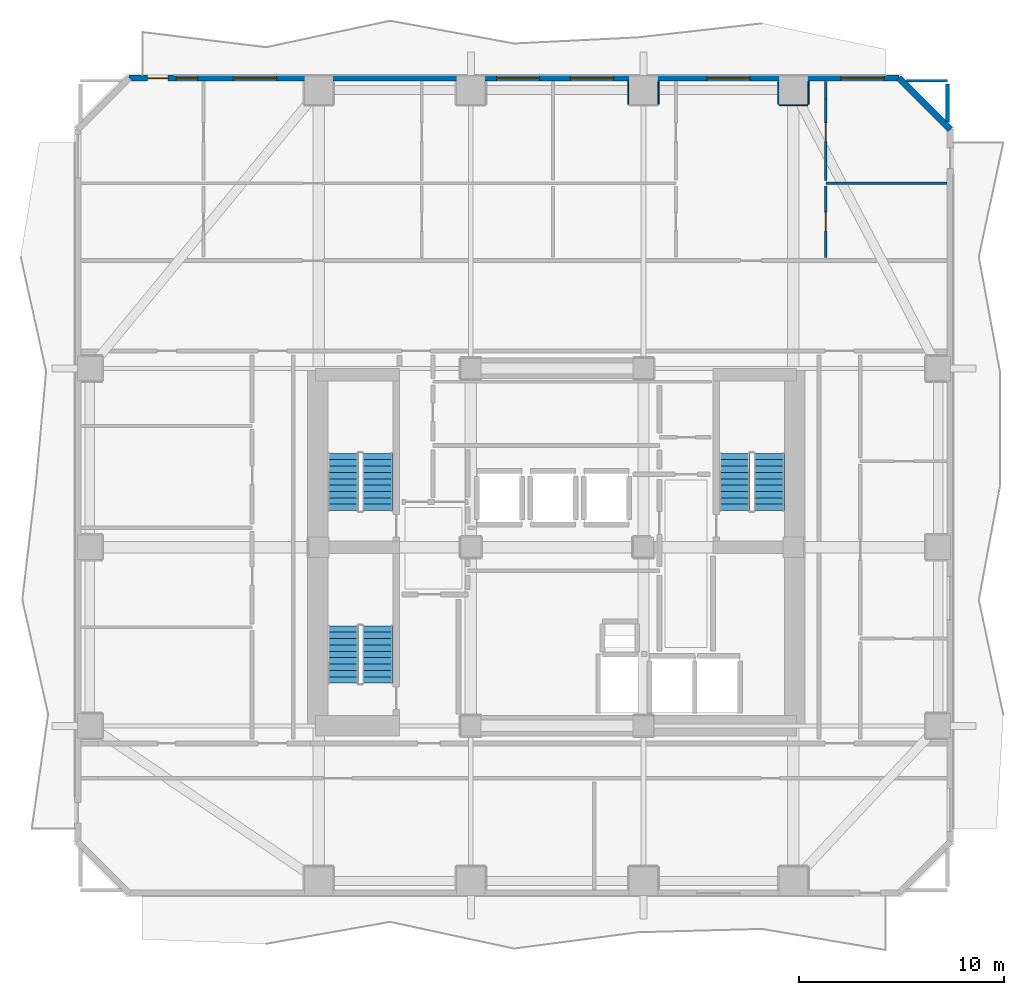
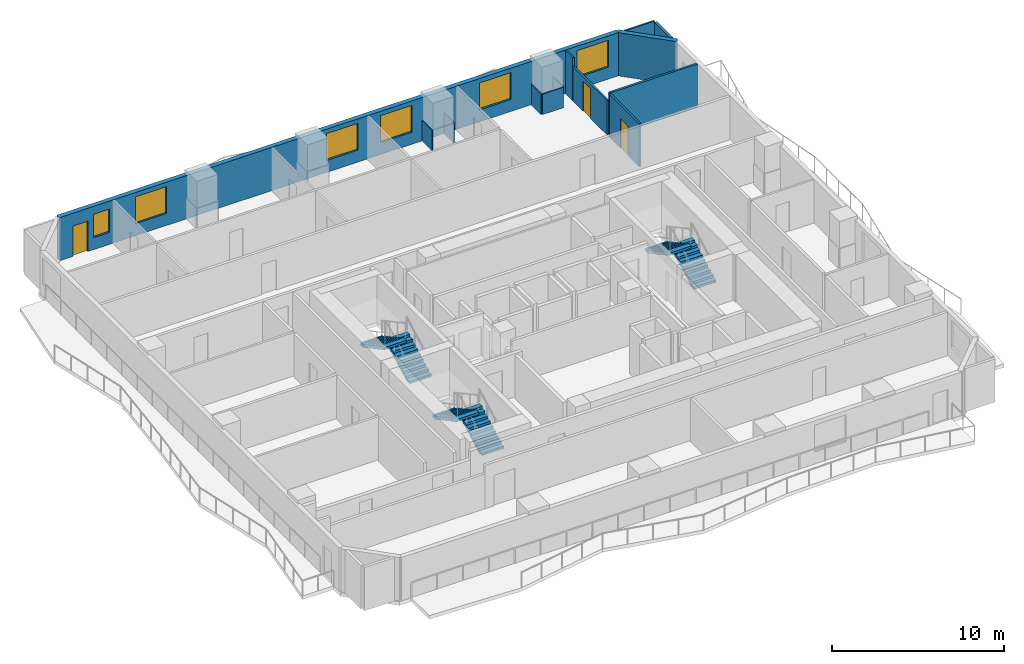
# One storey, part 6 of 10: 13 walls, 6 stair flights, 6 windows, 3 doors, 9 openings, 3 elements without a shape of their own.
"""IFC4 building model written with IfcOpenShell, lengths in metres."""

from ifc_helpers import new_model, si_unit, direction, frame, frame_2d, origin, place, context, subcontext, project, spatial, polyline, rectangle, outline, extrude, material, layer, layer_set, type_object, element, fill, aggregate, save


model = new_model("IFC4")

# Units and contexts
model_context = context("Model", 3, precision=1e-05, world=origin(), true_north=direction((0.0, 1.0)))
body_context = subcontext(model_context, "Body", "Model", "MODEL_VIEW")
ifc_project = project(units=[si_unit("LENGTHUNIT", "METRE"), si_unit("AREAUNIT", "SQUARE_METRE"), si_unit("VOLUMEUNIT", "CUBIC_METRE"), si_unit("PLANEANGLEUNIT", "RADIAN"), si_unit("MASSUNIT", "GRAM", prefix="KILO")], contexts=[model_context])

# Site, building, storey
site_placement = place(None, origin())
site = spatial("IfcSite", under=ifc_project, at=site_placement, CompositionType="ELEMENT")
building_placement = place(site_placement, origin())
building = spatial("IfcBuilding", under=site, at=building_placement, Name="Solanera Arch Residences", CompositionType="ELEMENT")
storey_placement = place(building_placement, frame((0.0, 0.0, 92.800048828125)))
storey = spatial("IfcBuildingStorey", under=building, at=storey_placement, Name="L26", CompositionType="ELEMENT", Elevation=92.800048828125)

# Walls
ifc_material_1 = material(Name="Fire-Rated Gypsum Stud Partition", Category="gypsum")
ifc_layer_1 = layer(ifc_material_1, 0.06005859375)
ifc_layer_set_1 = layer_set([ifc_layer_1], Name="Fire-Rated Gypsum Stud Partition")
wall_type_1 = type_object("IfcWallType", Name="Column Acoustic Furring Wall 60", PredefinedType="PARTITIONING", material=ifc_layer_set_1)
for number, where, z_axis, x_axis, name in (
    (1, (28.468017578125, 52.25, 0.0), (0.0, 0.0, 1.0), (0.0, 1.0, 0.0), "L26 Column Furring 14W"),
    (2, (29.931884765625, 52.25, 0.0), (0.0, 0.0, 1.0), (0.0, 1.0, 0.0), "L26 Column Furring 14E"),
):
    element("IfcWall", number, at=place(storey_placement, frame(where, z_axis=z_axis, x_axis=x_axis)), inside=storey, type_object=wall_type_1, Name=name, PredefinedType="PARTITIONING", context=body_context, shape_type="SweptSolid", body=[
        extrude(rectangle(XDim=1.1201171875, YDim=0.06005859375, at=frame_2d((0.56005859375, 0.0))), origin(), (0.0, 0.0, 1.0), 1.449951171875),
    ])
wall_1_placement = place(storey_placement, frame((35.800048828125, 52.218017578125, 0.0), z_axis=(0.0, 0.0, 1.0), x_axis=(1.0, 0.0, 0.0)))
element("IfcWall", 3, at=wall_1_placement, inside=storey, type_object=wall_type_1, Name="L26 Column Furring 16S", PredefinedType="PARTITIONING", context=body_context, shape_type="SweptSolid", body=[
    extrude(rectangle(XDim=1.39990234375, YDim=0.06005859375, at=frame_2d((0.699951171875, 0.0))), origin(), (0.0, 0.0, 1.0), 1.449951171875),
])
for number, where, z_axis, x_axis, name in (
    (4, (35.76806640625, 52.25, 0.0), (0.0, 0.0, 1.0), (0.0, 1.0, 0.0), "L26 Column Furring 16W"),
    (5, (37.23193359375, 52.25, 0.0), (0.0, 0.0, 1.0), (0.0, 1.0, 0.0), "L26 Column Furring 16E"),
):
    element("IfcWall", number, at=place(storey_placement, frame(where, z_axis=z_axis, x_axis=x_axis)), inside=storey, type_object=wall_type_1, Name=name, PredefinedType="PARTITIONING", context=body_context, shape_type="SweptSolid", body=[
        extrude(rectangle(XDim=1.1201171875, YDim=0.06005859375, at=frame_2d((0.56005859375, 0.0))), origin(), (0.0, 0.0, 1.0), 1.449951171875),
    ])
ifc_material_2 = material(Name="Autoclaved Aerated Concrete Blockwork", Category="masonry")
ifc_layer_2 = layer(ifc_material_2, 0.179931640625)
ifc_layer_set_2 = layer_set([ifc_layer_2], Name="Autoclaved Aerated Concrete Blockwork")
wall_type_2 = type_object("IfcWallType", Name="Corridor Fire Partition 180", PredefinedType="PARTITIONING", material=ifc_layer_set_2)
wall_2_placement = place(storey_placement, frame((44.0, 51.39892578125, 0.0), z_axis=(0.0, 0.0, 1.0), x_axis=(0.0, 1.0, 0.0)))
element("IfcWall", 6, at=wall_2_placement, inside=storey, type_object=wall_type_2, Name="L26 Interior Partition V14 2", PredefinedType="PARTITIONING", context=body_context, shape_type="SweptSolid", body=[
    extrude(rectangle(XDim=1.843017578125, YDim=0.179931640625, at=frame_2d((0.92138671875, 0.0))), origin(), (0.0, 0.0, 1.0), 3.06005859375),
])

# Wall, openings, door, windows
ifc_material_3 = material(Name="Precast Concrete C35/45", Category="concrete")
ifc_layer_3 = layer(ifc_material_3, 0.300048828125)
ifc_layer_set_3 = layer_set([ifc_layer_3], Name="Precast Concrete C35/45")
wall_type_3 = type_object("IfcWallType", Name="Exterior Wall Precast Masonry-Frame 300", PredefinedType="STANDARD", material=ifc_layer_set_3)
wall_3_placement = place(storey_placement, frame((4.1650390625, 53.534912109375, 0.0), z_axis=(0.0, 0.0, 1.0), x_axis=(1.0, 0.0, 0.0)))
wall_3 = element("IfcWall", 7, at=wall_3_placement, inside=storey, type_object=wall_type_3, Name="L26 Tower Exterior Precast Masonry-Frame Wall N", PredefinedType="STANDARD", context=body_context, shape_type="SweptSolid", body=[
    extrude(rectangle(XDim=37.469970703125, YDim=0.300048828125, at=frame_2d((18.73486328125, 0.0))), origin(), (0.0, 0.0, 1.0), 3.06005859375),
])
opening_1_placement = place(wall_3_placement, frame((0.90087890625, 0.0, 0.0)))
opening_1 = element("IfcOpeningElement", 8, at=opening_1_placement, cuts=wall_3, Name="Opening DB-01", PredefinedType="OPENING", context=body_context, shape_type="SweptSolid", body=[
    extrude(rectangle(XDim=1.0, YDim=2.14990234375, at=frame_2d((0.5, 1.074951171875))), frame((0.0, 0.159912109375, 0.0), z_axis=(0.0, -1.0, 0.0), x_axis=(1.0, 0.0, 0.0)), (0.0, 0.0, 1.0), 0.32),
])
opening_2_placement = place(wall_3_placement, frame((5.077880859375, 0.0, 0.85009765625)))
opening_2 = element("IfcOpeningElement", 9, at=opening_2_placement, cuts=wall_3, Name="Opening W-04", PredefinedType="OPENING", context=body_context, shape_type="SweptSolid", body=[
    extrude(rectangle(XDim=2.10009765625, YDim=1.89990234375, at=frame_2d((1.050048828125, 0.949951171875))), frame((0.0, 0.159912109375, 0.0), z_axis=(0.0, -1.0, 0.0), x_axis=(1.0, 0.0, 0.0)), (0.0, 0.0, 1.0), 0.32),
])
opening_3_placement = place(wall_3_placement, frame((2.285888671875, 0.0, 0.85009765625)))
opening_3 = element("IfcOpeningElement", 10, at=opening_3_placement, cuts=wall_3, Name="Opening W-07", PredefinedType="OPENING", context=body_context, shape_type="SweptSolid", body=[
    extrude(rectangle(XDim=1.050048828125, YDim=1.64990234375, at=frame_2d((0.52490234375, 0.824951171875))), frame((0.0, 0.159912109375, 0.0), z_axis=(0.0, -1.0, 0.0), x_axis=(1.0, 0.0, 0.0)), (0.0, 0.0, 1.0), 0.32),
])
opening_4_placement = place(wall_3_placement, frame((17.885009765625, 0.0, 0.85009765625)))
opening_4 = element("IfcOpeningElement", 11, at=opening_4_placement, cuts=wall_3, Name="Opening W-04", PredefinedType="OPENING", context=body_context, shape_type="SweptSolid", body=[
    extrude(rectangle(XDim=2.10009765625, YDim=1.89990234375, at=frame_2d((1.050048828125, 0.949951171875))), frame((0.0, 0.159912109375, 0.0), z_axis=(0.0, -1.0, 0.0), x_axis=(1.0, 0.0, 0.0)), (0.0, 0.0, 1.0), 0.32),
])
opening_5_placement = place(wall_3_placement, frame((28.125, 0.0, 0.85009765625)))
opening_5 = element("IfcOpeningElement", 12, at=opening_5_placement, cuts=wall_3, Name="Opening W-04", PredefinedType="OPENING", context=body_context, shape_type="SweptSolid", body=[
    extrude(rectangle(XDim=2.10009765625, YDim=1.89990234375, at=frame_2d((1.050048828125, 0.949951171875))), frame((0.0, 0.159912109375, 0.0), z_axis=(0.0, -1.0, 0.0), x_axis=(1.0, 0.0, 0.0)), (0.0, 0.0, 1.0), 0.32),
])
opening_6_placement = place(wall_3_placement, frame((21.485107421875, 0.0, 0.85009765625)))
opening_6 = element("IfcOpeningElement", 13, at=opening_6_placement, cuts=wall_3, Name="Opening W-04", PredefinedType="OPENING", context=body_context, shape_type="SweptSolid", body=[
    extrude(rectangle(XDim=2.10009765625, YDim=1.89990234375, at=frame_2d((1.050048828125, 0.949951171875))), frame((0.0, 0.159912109375, 0.0), z_axis=(0.0, -1.0, 0.0), x_axis=(1.0, 0.0, 0.0)), (0.0, 0.0, 1.0), 0.32),
])
opening_7_placement = place(wall_3_placement, frame((34.64794921875, 0.0, 0.85009765625)))
opening_7 = element("IfcOpeningElement", 14, at=opening_7_placement, cuts=wall_3, Name="Opening W-04", PredefinedType="OPENING", context=body_context, shape_type="SweptSolid", body=[
    extrude(rectangle(XDim=2.10009765625, YDim=1.89990234375, at=frame_2d((1.050048828125, 0.949951171875))), frame((0.0, 0.159912109375, 0.0), z_axis=(0.0, -1.0, 0.0), x_axis=(1.0, 0.0, 0.0)), (0.0, 0.0, 1.0), 0.32),
])
ifc_material_4 = material(Name="Anodised Aluminium Alloy 6063-T6", Category="aluminium")
door_type_1 = type_object("IfcDoorType", Name="Glazed Balcony Swing Door DB-01", OperationType="NOTDEFINED", PredefinedType="DOOR", material=ifc_material_4)
door_1_placement = place(opening_1_placement, origin())
door_1 = element("IfcDoor", 15, at=door_1_placement, inside=storey, type_object=door_type_1, Name="DR-L26-OUT-02", OperationType="SINGLE_SWING_LEFT", OverallHeight=2.14990234375, OverallWidth=1.0, PredefinedType="DOOR", context=body_context, shape_type="SweptSolid", body=[
    extrude(rectangle(XDim=1.0, YDim=2.14990234375, at=frame_2d((0.5, 1.074951171875))), frame((0.0, 0.02490234375, 0.0), z_axis=(0.0, -1.0, 0.0), x_axis=(1.0, 0.0, 0.0)), (0.0, 0.0, 1.0), 0.050048828125),
])
fill(opening_1, door_1)
ifc_material_5 = material(Name="Double Glazed Low-E Laminated Glass", Category="glass")
window_type_1 = type_object("IfcWindowType", Name="Punched Window W-04", PartitioningType="DOUBLE_PANEL_VERTICAL", PredefinedType="WINDOW", material=ifc_material_5)
window_1_placement = place(opening_2_placement, origin())
window_1 = element("IfcWindow", 16, at=window_1_placement, inside=storey, type_object=window_type_1, Name="L26 2601-LIV Punched Window", OverallHeight=1.89990234375, OverallWidth=2.10009765625, PartitioningType="SINGLE_PANEL", PredefinedType="WINDOW", context=body_context, shape_type="SweptSolid", body=[
    extrude(rectangle(XDim=2.10009765625, YDim=1.89990234375, at=frame_2d((1.050048828125, 0.949951171875))), frame((0.0, 0.030029296875, 0.0), z_axis=(0.0, -1.0, 0.0), x_axis=(1.0, 0.0, 0.0)), (0.0, 0.0, 1.0), 0.06005859375),
])
fill(opening_2, window_1)
window_2_placement = place(opening_4_placement, origin())
window_2 = element("IfcWindow", 17, at=window_2_placement, inside=storey, type_object=window_type_1, Name="L26 2601-BR2 Punched Window", OverallHeight=1.89990234375, OverallWidth=2.10009765625, PartitioningType="SINGLE_PANEL", PredefinedType="WINDOW", context=body_context, shape_type="SweptSolid", body=[
    extrude(rectangle(XDim=2.10009765625, YDim=1.89990234375, at=frame_2d((1.050048828125, 0.949951171875))), frame((0.0, 0.030029296875, 0.0), z_axis=(0.0, -1.0, 0.0), x_axis=(1.0, 0.0, 0.0)), (0.0, 0.0, 1.0), 0.06005859375),
])
fill(opening_4, window_2)
window_3_placement = place(opening_5_placement, origin())
window_3 = element("IfcWindow", 18, at=window_3_placement, inside=storey, type_object=window_type_1, Name="L26 2602-LIV Punched Window", OverallHeight=1.89990234375, OverallWidth=2.10009765625, PartitioningType="SINGLE_PANEL", PredefinedType="WINDOW", context=body_context, shape_type="SweptSolid", body=[
    extrude(rectangle(XDim=2.10009765625, YDim=1.89990234375, at=frame_2d((1.050048828125, 0.949951171875))), frame((0.0, 0.030029296875, 0.0), z_axis=(0.0, -1.0, 0.0), x_axis=(1.0, 0.0, 0.0)), (0.0, 0.0, 1.0), 0.06005859375),
])
fill(opening_5, window_3)
window_4_placement = place(opening_6_placement, origin())
window_4 = element("IfcWindow", 19, at=window_4_placement, inside=storey, type_object=window_type_1, Name="L26 2602-BR1 Punched Window", OverallHeight=1.89990234375, OverallWidth=2.10009765625, PartitioningType="SINGLE_PANEL", PredefinedType="WINDOW", context=body_context, shape_type="SweptSolid", body=[
    extrude(rectangle(XDim=2.10009765625, YDim=1.89990234375, at=frame_2d((1.050048828125, 0.949951171875))), frame((0.0, 0.030029296875, 0.0), z_axis=(0.0, -1.0, 0.0), x_axis=(1.0, 0.0, 0.0)), (0.0, 0.0, 1.0), 0.06005859375),
])
fill(opening_6, window_4)
window_5_placement = place(opening_7_placement, origin())
window_5 = element("IfcWindow", 20, at=window_5_placement, inside=storey, type_object=window_type_1, Name="L26 2602-BR2 Punched Window", OverallHeight=1.89990234375, OverallWidth=2.10009765625, PartitioningType="SINGLE_PANEL", PredefinedType="WINDOW", context=body_context, shape_type="SweptSolid", body=[
    extrude(rectangle(XDim=2.10009765625, YDim=1.89990234375, at=frame_2d((1.050048828125, 0.949951171875))), frame((0.0, 0.030029296875, 0.0), z_axis=(0.0, -1.0, 0.0), x_axis=(1.0, 0.0, 0.0)), (0.0, 0.0, 1.0), 0.06005859375),
])
fill(opening_7, window_5)
ifc_material_6 = material(Name="Double Glazed Low-E Laminated Glass", Category="glass")
window_type_2 = type_object("IfcWindowType", Name="Punched Window W-07", PartitioningType="SINGLE_PANEL", PredefinedType="WINDOW", material=ifc_material_6)
window_6_placement = place(opening_3_placement, origin())
window_6 = element("IfcWindow", 21, at=window_6_placement, inside=storey, type_object=window_type_2, Name="L26 2601-BR1 Punched Window", OverallHeight=1.64990234375, OverallWidth=1.050048828125, PartitioningType="SINGLE_PANEL", PredefinedType="WINDOW", context=body_context, shape_type="SweptSolid", body=[
    extrude(rectangle(XDim=1.050048828125, YDim=1.64990234375, at=frame_2d((0.52490234375, 0.824951171875))), frame((0.0, 0.030029296875, 0.0), z_axis=(0.0, -1.0, 0.0), x_axis=(1.0, 0.0, 0.0)), (0.0, 0.0, 1.0), 0.06005859375),
])
fill(opening_3, window_6)

# Walls
wall_4_placement = place(storey_placement, frame((41.635009765625, 53.534912109375, 0.0), z_axis=(0.0, 0.0, 1.0), x_axis=(0.707106781187, -0.707106781187, 0.0)))
element("IfcWall", 22, at=wall_4_placement, inside=storey, type_object=wall_type_3, Name="L26 Tower Exterior Precast Masonry-Frame Wall CH3", PredefinedType="STANDARD", context=body_context, shape_type="SweptSolid", body=[
    extrude(rectangle(XDim=3.53564453125, YDim=0.300048828125, at=frame_2d((1.767822265625, 0.0))), origin(), (0.0, 0.0, 1.0), 3.06005859375),
])
ifc_material_7 = material(Name="Fire-Rated Gypsum Stud Partition", Category="gypsum")
ifc_layer_4 = layer(ifc_material_7, 0.1201171875)
ifc_layer_set_4 = layer_set([ifc_layer_4], Name="Fire-Rated Gypsum Stud Partition")
wall_type_4 = type_object("IfcWallType", Name="Unit Drywall Partition 120", PredefinedType="PARTITIONING", material=ifc_layer_set_4)
wall_5_placement = place(storey_placement, frame((41.9990234375, 53.39990234375, 0.0), z_axis=(0.0, 0.0, 1.0), x_axis=(1.0, 0.0, 0.0)))
element("IfcWall", 23, at=wall_5_placement, inside=storey, type_object=wall_type_4, Name="L26 Interior Partition H22 2", PredefinedType="PARTITIONING", context=body_context, shape_type="SweptSolid", body=[
    extrude(rectangle(XDim=2.0009765625, YDim=0.1201171875, at=frame_2d((1.00048828125, 0.0))), origin(), (0.0, 0.0, 1.0), 3.06005859375),
])

# Wall, opening, door
wall_6_placement = place(storey_placement, frame((38.080078125, 44.80810546875, 0.0), z_axis=(0.0, 0.0, 1.0), x_axis=(0.0, 1.0, 0.0)))
wall_6 = element("IfcWall", 24, at=wall_6_placement, inside=storey, type_object=wall_type_4, Name="L26 Interior Partition V19 1", PredefinedType="PARTITIONING", context=body_context, shape_type="SweptSolid", body=[
    extrude(rectangle(XDim=3.466796875, YDim=0.1201171875, at=frame_2d((1.7333984375, 0.0))), origin(), (0.0, 0.0, 1.0), 3.06005859375),
])
opening_8_placement = place(wall_6_placement, frame((1.285888671875, 0.0, 0.0)))
opening_8 = element("IfcOpeningElement", 25, at=opening_8_placement, cuts=wall_6, Name="Opening DI-02", PredefinedType="OPENING", context=body_context, shape_type="SweptSolid", body=[
    extrude(rectangle(XDim=0.89990234375, YDim=2.10009765625, at=frame_2d((0.449951171875, 1.050048828125))), frame((0.0, 0.070068359375, 0.0), z_axis=(0.0, -1.0, 0.0), x_axis=(1.0, 0.0, 0.0)), (0.0, 0.0, 1.0), 0.1401),
])
ifc_material_8 = material(Name="Fire-Rated Architectural Hardwood", Category="wood")
door_type_2 = type_object("IfcDoorType", Name="Suite Room Swing Door DI-02", OperationType="NOTDEFINED", PredefinedType="DOOR", material=ifc_material_8)
door_2_placement = place(opening_8_placement, origin())
door_2 = element("IfcDoor", 26, at=door_2_placement, inside=storey, type_object=door_type_2, Name="DR-L26-IN-035", OperationType="SINGLE_SWING_RIGHT", OverallHeight=2.10009765625, OverallWidth=0.89990234375, PredefinedType="DOOR", context=body_context, shape_type="SweptSolid", body=[
    extrude(rectangle(XDim=0.89990234375, YDim=2.10009765625, at=frame_2d((0.449951171875, 1.050048828125))), frame((0.0, 0.02490234375, 0.0), z_axis=(0.0, -1.0, 0.0), x_axis=(1.0, 0.0, 0.0)), (0.0, 0.0, 1.0), 0.050048828125),
])
fill(opening_8, door_2)

wall_7_placement = place(storey_placement, frame((38.080078125, 48.551025390625, 0.0), z_axis=(0.0, 0.0, 1.0), x_axis=(0.0, 1.0, 0.0)))
wall_7 = element("IfcWall", 27, at=wall_7_placement, inside=storey, type_object=wall_type_4, Name="L26 Interior Partition V19 2", PredefinedType="PARTITIONING", context=body_context, shape_type="SweptSolid", body=[
    extrude(rectangle(XDim=3.9599609375, YDim=0.1201171875, at=frame_2d((1.97998046875, 0.0))), origin(), (0.0, 0.0, 1.0), 2.445068359375),
])
opening_9_placement = place(wall_7_placement, frame((1.89306640625, 0.0, 0.0)))
opening_9 = element("IfcOpeningElement", 28, at=opening_9_placement, cuts=wall_7, Name="Opening DI-03", PredefinedType="OPENING", context=body_context, shape_type="SweptSolid", body=[
    extrude(rectangle(XDim=0.89990234375, YDim=2.10009765625, at=frame_2d((0.449951171875, 1.050048828125))), frame((0.0, 0.070068359375, 0.0), z_axis=(0.0, -1.0, 0.0), x_axis=(1.0, 0.0, 0.0)), (0.0, 0.0, 1.0), 0.1401),
])
ifc_material_9 = material(Name="Fire-Rated Architectural Hardwood", Category="wood")
door_type_3 = type_object("IfcDoorType", Name="Bedroom Swing Door DI-03", OperationType="NOTDEFINED", PredefinedType="DOOR", material=ifc_material_9)
door_3_placement = place(opening_9_placement, origin())
door_3 = element("IfcDoor", 29, at=door_3_placement, inside=storey, type_object=door_type_3, Name="DR-L26-IN-036", OperationType="SINGLE_SWING_LEFT", OverallHeight=2.10009765625, OverallWidth=0.89990234375, PredefinedType="DOOR", context=body_context, shape_type="SweptSolid", body=[
    extrude(rectangle(XDim=0.89990234375, YDim=2.10009765625, at=frame_2d((0.449951171875, 1.050048828125))), frame((0.0, 0.02490234375, 0.0), z_axis=(0.0, -1.0, 0.0), x_axis=(1.0, 0.0, 0.0)), (0.0, 0.0, 1.0), 0.050048828125),
])
fill(opening_9, door_3)

# Walls
wall_8_placement = place(storey_placement, frame((38.080078125, 52.510986328125, 0.0), z_axis=(0.0, 0.0, 1.0), x_axis=(0.0, 1.0, 0.0)))
element("IfcWall", 30, at=wall_8_placement, inside=storey, type_object=wall_type_4, Name="L26 Interior Partition V19 3", PredefinedType="PARTITIONING", context=body_context, shape_type="SweptSolid", body=[
    extrude(rectangle(XDim=0.862060546875, YDim=0.1201171875, at=frame_2d((0.43115234375, 0.0))), origin(), (0.0, 0.0, 1.0), 3.06005859375),
])
ifc_material_10 = material(Name="Autoclaved Aerated Concrete Blockwork", Category="masonry")
ifc_layer_5 = layer(ifc_material_10, 0.139892578125)
ifc_layer_set_5 = layer_set([ifc_layer_5], Name="Autoclaved Aerated Concrete Blockwork")
wall_type_5 = type_object("IfcWallType", Name="Wet-Room Partition 140", PredefinedType="PARTITIONING", material=ifc_layer_set_5)
wall_9_placement = place(storey_placement, frame((38.080078125, 48.4130859375, 0.0), z_axis=(0.0, 0.0, 1.0), x_axis=(1.0, 0.0, 0.0)))
element("IfcWall", 31, at=wall_9_placement, inside=storey, type_object=wall_type_5, Name="L26 Interior Partition H19", PredefinedType="PARTITIONING", context=body_context, shape_type="SweptSolid", body=[
    extrude(rectangle(XDim=5.892822265625, YDim=0.139892578125, at=frame_2d((2.9462890625, 0.0))), origin(), (0.0, 0.0, 1.0), 3.06005859375),
])

# Stair, stair flights
ifc_material_11 = material(Name="Concrete C40/50 (f'c = 45 MPa)", Category="concrete")
stair_type = type_object("IfcStairType", Name="Tower Dogleg Exit Stair 1480", PredefinedType="HALF_TURN_STAIR", material=ifc_material_11)
stair_1_placement = place(storey_placement, origin())
stair_1 = element("IfcStair", 32, at=stair_1_placement, inside=storey, type_object=stair_type, Name="L26 Tower Core Exit Stair 1", PredefinedType="HALF_TURN_STAIR")
ifc_material_12 = material(Name="Concrete C40/50 (f'c = 45 MPa)", Category="concrete")
stair_flight_type = type_object("IfcStairFlightType", Name="Tower Precast Stair Flight 1480", PredefinedType="STRAIGHT", material=ifc_material_12)
stair_flight_1_placement = place(storey_placement, frame((16.260009765625, 32.47998046875, 0.0), z_axis=(0.0, 0.0, 1.0), x_axis=(0.0, 1.0, 0.0)))
stair_flight_1 = element("IfcStairFlight", 33, at=stair_flight_1_placement, type_object=stair_flight_type, Name="ST-T1 flight 1", NumberOfRisers=10, NumberOfTreads=9, PredefinedType="STRAIGHT", RiserHeight=0.166, TreadLength=0.31, context=body_context, shape_type="SweptSolid", body=[
    extrude(outline(polyline([(0.0, 0.0), (0.0, 0.166015625), (0.31005859375, 0.166015625), (0.31005859375, 0.33203125), (0.6201171875, 0.33203125), (0.6201171875, 0.498046875), (0.929931640625, 0.498046875), (0.929931640625, 0.6640625), (1.239990234375, 0.6640625), (1.239990234375, 0.830078125), (1.550048828125, 0.830078125), (1.550048828125, 0.99609375), (1.860107421875, 0.99609375), (1.860107421875, 1.162109375), (2.169921875, 1.162109375), (2.169921875, 1.327880859375), (2.47998046875, 1.327880859375), (2.47998046875, 1.493896484375), (2.7900390625, 1.493896484375), (2.7900390625, 1.659912109375), (2.7900390625, 1.323974609375), (0.317626953125, 0.0), (0.0, 0.0)])), frame((0.0, 0.739990234375, 0.0), z_axis=(0.0, -1.0, 0.0), x_axis=(1.0, 0.0, 0.0)), (0.0, 0.0, 1.0), 1.47998046875),
])
stair_flight_2_placement = place(storey_placement, frame((14.580078125, 35.27001953125, 1.659912109375), z_axis=(0.0, 0.0, 1.0), x_axis=(0.0, -1.0, 0.0)))
stair_flight_2 = element("IfcStairFlight", 34, at=stair_flight_2_placement, type_object=stair_flight_type, Name="ST-T1 flight 2", NumberOfRisers=10, NumberOfTreads=9, PredefinedType="STRAIGHT", RiserHeight=0.166, TreadLength=0.31, context=body_context, shape_type="SweptSolid", body=[
    extrude(outline(polyline([(0.0, 0.0), (0.0, 0.166015625), (0.31005859375, 0.166015625), (0.31005859375, 0.33203125), (0.6201171875, 0.33203125), (0.6201171875, 0.498046875), (0.929931640625, 0.498046875), (0.929931640625, 0.6640625), (1.239990234375, 0.6640625), (1.239990234375, 0.830078125), (1.550048828125, 0.830078125), (1.550048828125, 0.99609375), (1.860107421875, 0.99609375), (1.860107421875, 1.162109375), (2.169921875, 1.162109375), (2.169921875, 1.327880859375), (2.47998046875, 1.327880859375), (2.47998046875, 1.493896484375), (2.7900390625, 1.493896484375), (2.7900390625, 1.659912109375), (2.7900390625, 1.323974609375), (0.317626953125, 0.0), (0.0, 0.0)])), frame((0.0, 0.739990234375, 0.0), z_axis=(0.0, -1.0, 0.0), x_axis=(1.0, 0.0, 0.0)), (0.0, 0.0, 1.0), 1.47998046875),
])
aggregate(stair_1, [stair_flight_1, stair_flight_2])

stair_2_placement = place(storey_placement, origin())
stair_2 = element("IfcStair", 35, at=stair_2_placement, inside=storey, type_object=stair_type, Name="L26 Tower Core Exit Stair 2", PredefinedType="HALF_TURN_STAIR")
stair_flight_3_placement = place(storey_placement, frame((35.320068359375, 32.47998046875, 0.0), z_axis=(0.0, 0.0, 1.0), x_axis=(0.0, 1.0, 0.0)))
stair_flight_3 = element("IfcStairFlight", 36, at=stair_flight_3_placement, type_object=stair_flight_type, Name="ST-T2 flight 1", NumberOfRisers=10, NumberOfTreads=9, PredefinedType="STRAIGHT", RiserHeight=0.166, TreadLength=0.31, context=body_context, shape_type="SweptSolid", body=[
    extrude(outline(polyline([(0.0, 0.0), (0.0, 0.166015625), (0.31005859375, 0.166015625), (0.31005859375, 0.33203125), (0.6201171875, 0.33203125), (0.6201171875, 0.498046875), (0.929931640625, 0.498046875), (0.929931640625, 0.6640625), (1.239990234375, 0.6640625), (1.239990234375, 0.830078125), (1.550048828125, 0.830078125), (1.550048828125, 0.99609375), (1.860107421875, 0.99609375), (1.860107421875, 1.162109375), (2.169921875, 1.162109375), (2.169921875, 1.327880859375), (2.47998046875, 1.327880859375), (2.47998046875, 1.493896484375), (2.7900390625, 1.493896484375), (2.7900390625, 1.659912109375), (2.7900390625, 1.323974609375), (0.317626953125, 0.0), (0.0, 0.0)])), frame((0.0, 0.739990234375, 0.0), z_axis=(0.0, -1.0, 0.0), x_axis=(1.0, 0.0, 0.0)), (0.0, 0.0, 1.0), 1.47998046875),
])
stair_flight_4_placement = place(storey_placement, frame((33.639892578125, 35.27001953125, 1.659912109375), z_axis=(0.0, 0.0, 1.0), x_axis=(0.0, -1.0, 0.0)))
stair_flight_4 = element("IfcStairFlight", 37, at=stair_flight_4_placement, type_object=stair_flight_type, Name="ST-T2 flight 2", NumberOfRisers=10, NumberOfTreads=9, PredefinedType="STRAIGHT", RiserHeight=0.166, TreadLength=0.31, context=body_context, shape_type="SweptSolid", body=[
    extrude(outline(polyline([(0.0, 0.0), (0.0, 0.166015625), (0.31005859375, 0.166015625), (0.31005859375, 0.33203125), (0.6201171875, 0.33203125), (0.6201171875, 0.498046875), (0.929931640625, 0.498046875), (0.929931640625, 0.6640625), (1.239990234375, 0.6640625), (1.239990234375, 0.830078125), (1.550048828125, 0.830078125), (1.550048828125, 0.99609375), (1.860107421875, 0.99609375), (1.860107421875, 1.162109375), (2.169921875, 1.162109375), (2.169921875, 1.327880859375), (2.47998046875, 1.327880859375), (2.47998046875, 1.493896484375), (2.7900390625, 1.493896484375), (2.7900390625, 1.659912109375), (2.7900390625, 1.323974609375), (0.317626953125, 0.0), (0.0, 0.0)])), frame((0.0, 0.739990234375, 0.0), z_axis=(0.0, -1.0, 0.0), x_axis=(1.0, 0.0, 0.0)), (0.0, 0.0, 1.0), 1.47998046875),
])
aggregate(stair_2, [stair_flight_3, stair_flight_4])

stair_3_placement = place(storey_placement, origin())
stair_3 = element("IfcStair", 38, at=stair_3_placement, inside=storey, type_object=stair_type, Name="L26 Tower Core Exit Stair 3", PredefinedType="HALF_TURN_STAIR")
stair_flight_5_placement = place(storey_placement, frame((16.260009765625, 24.080078125, 0.0), z_axis=(0.0, 0.0, 1.0), x_axis=(0.0, 1.0, 0.0)))
stair_flight_5 = element("IfcStairFlight", 39, at=stair_flight_5_placement, type_object=stair_flight_type, Name="ST-T3 flight 1", NumberOfRisers=10, NumberOfTreads=9, PredefinedType="STRAIGHT", RiserHeight=0.166, TreadLength=0.31, context=body_context, shape_type="SweptSolid", body=[
    extrude(outline(polyline([(0.0, 0.0), (0.0, 0.166015625), (0.31005859375, 0.166015625), (0.31005859375, 0.33203125), (0.6201171875, 0.33203125), (0.6201171875, 0.498046875), (0.929931640625, 0.498046875), (0.929931640625, 0.6640625), (1.239990234375, 0.6640625), (1.239990234375, 0.830078125), (1.550048828125, 0.830078125), (1.550048828125, 0.99609375), (1.860107421875, 0.99609375), (1.860107421875, 1.162109375), (2.169921875, 1.162109375), (2.169921875, 1.327880859375), (2.47998046875, 1.327880859375), (2.47998046875, 1.493896484375), (2.7900390625, 1.493896484375), (2.7900390625, 1.659912109375), (2.7900390625, 1.323974609375), (0.317626953125, 0.0), (0.0, 0.0)])), frame((0.0, 0.739990234375, 0.0), z_axis=(0.0, -1.0, 0.0), x_axis=(1.0, 0.0, 0.0)), (0.0, 0.0, 1.0), 1.47998046875),
])
stair_flight_6_placement = place(storey_placement, frame((14.580078125, 26.8701171875, 1.659912109375), z_axis=(0.0, 0.0, 1.0), x_axis=(0.0, -1.0, 0.0)))
stair_flight_6 = element("IfcStairFlight", 40, at=stair_flight_6_placement, type_object=stair_flight_type, Name="ST-T3 flight 2", NumberOfRisers=10, NumberOfTreads=9, PredefinedType="STRAIGHT", RiserHeight=0.166, TreadLength=0.31, context=body_context, shape_type="SweptSolid", body=[
    extrude(outline(polyline([(0.0, 0.0), (0.0, 0.166015625), (0.31005859375, 0.166015625), (0.31005859375, 0.33203125), (0.6201171875, 0.33203125), (0.6201171875, 0.498046875), (0.929931640625, 0.498046875), (0.929931640625, 0.6640625), (1.239990234375, 0.6640625), (1.239990234375, 0.830078125), (1.550048828125, 0.830078125), (1.550048828125, 0.99609375), (1.860107421875, 0.99609375), (1.860107421875, 1.162109375), (2.169921875, 1.162109375), (2.169921875, 1.327880859375), (2.47998046875, 1.327880859375), (2.47998046875, 1.493896484375), (2.7900390625, 1.493896484375), (2.7900390625, 1.659912109375), (2.7900390625, 1.323974609375), (0.317626953125, 0.0), (0.0, 0.0)])), frame((0.0, 0.739990234375, 0.0), z_axis=(0.0, -1.0, 0.0), x_axis=(1.0, 0.0, 0.0)), (0.0, 0.0, 1.0), 1.47998046875),
])
aggregate(stair_3, [stair_flight_5, stair_flight_6])

save(model, "model.ifc")
